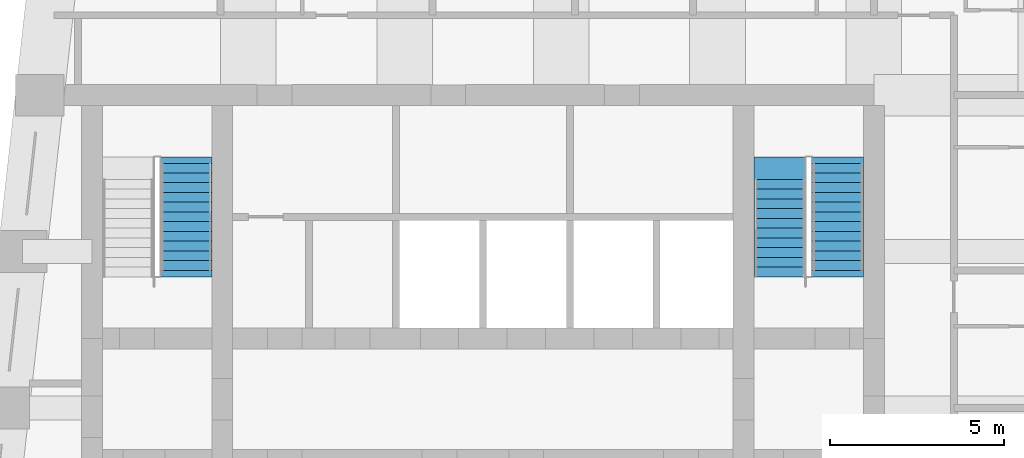
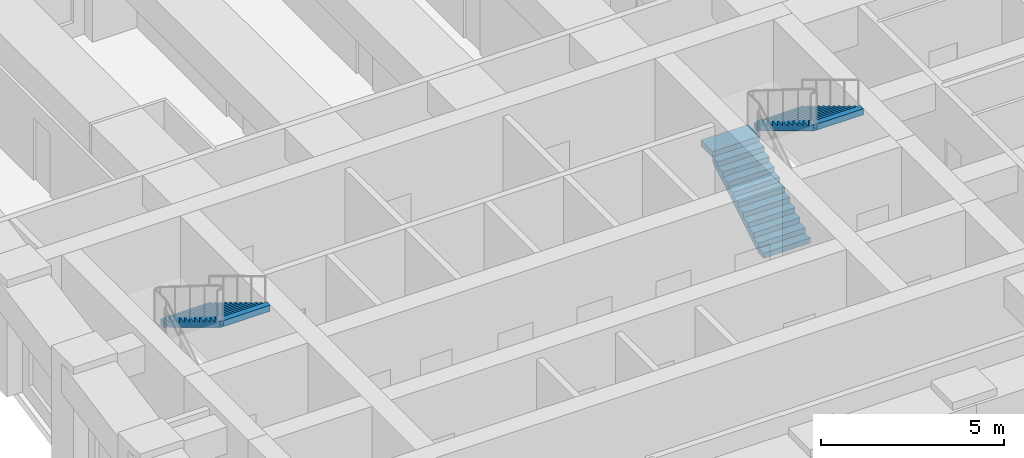
# One storey, part 6 of 7: 3 stair flights, 2 elements without a shape of their own.
"""IFC4 building model written with IfcOpenShell, lengths in metres."""

from ifc_helpers import new_model, si_unit, direction, frame, origin, place, context, subcontext, project, spatial, polyline, outline, extrude, material, type_object, element, aggregate, save


model = new_model("IFC4")

# Units and contexts
model_context = context("Model", 3, precision=1e-05, world=origin(), true_north=direction((0.0, 1.0)))
body_context = subcontext(model_context, "Body", "Model", "MODEL_VIEW")
ifc_project = project(units=[si_unit("LENGTHUNIT", "METRE"), si_unit("AREAUNIT", "SQUARE_METRE"), si_unit("VOLUMEUNIT", "CUBIC_METRE"), si_unit("PLANEANGLEUNIT", "RADIAN"), si_unit("MASSUNIT", "GRAM", prefix="KILO")], contexts=[model_context])

# Site, building, storey
site_placement = place(None, origin())
site = spatial("IfcSite", under=ifc_project, at=site_placement, CompositionType="ELEMENT")
building_placement = place(site_placement, origin())
building = spatial("IfcBuilding", under=site, at=building_placement, Name="Kilele Tower Hotel", CompositionType="ELEMENT")
storey_placement = place(building_placement, frame((0.0, 0.0, 278.0)))
storey = spatial("IfcBuildingStorey", under=building, at=storey_placement, Name="L71", CompositionType="ELEMENT", Elevation=278.0)

# Stair, stair flight
ifc_material_1 = material(Name="Precast concrete C40/50", Category="concrete")
stair_type = type_object("IfcStairType", Name="Stair 1475 x 3900", PredefinedType="HALF_TURN_STAIR", material=ifc_material_1)
stair_1_placement = place(storey_placement, origin())
stair_1 = element("IfcStair", 1, at=stair_1_placement, inside=storey, type_object=stair_type, Name="Stair 1 L71", PredefinedType="HALF_TURN_STAIR")
ifc_material_2 = material(Name="Precast concrete C40/50", Category="concrete")
stair_flight_type = type_object("IfcStairFlightType", Name="Flight 1475 riser 169.6", PredefinedType="STRAIGHT", material=ifc_material_2)
stair_flight_1_placement = place(storey_placement, frame((16.21240234375, 25.0400390625, 1.865234375), z_axis=(0.0, 0.0, 1.0), x_axis=(0.0, -1.0, 0.0)))
stair_flight_1 = element("IfcStairFlight", 2, at=stair_flight_1_placement, type_object=stair_flight_type, Name="ST1 flight 2", NumberOfRisers=12, NumberOfTreads=11, PredefinedType="STRAIGHT", RiserHeight=0.169565217, TreadLength=0.28, context=body_context, shape_type="SweptSolid", body=[
    extrude(outline(polyline([(0.0, 0.0), (0.0, 0.169677734375), (0.280029296875, 0.169677734375), (0.280029296875, 0.339111328125), (0.56005859375, 0.339111328125), (0.56005859375, 0.5087890625), (0.840087890625, 0.5087890625), (0.840087890625, 0.67822265625), (1.1201171875, 0.67822265625), (1.1201171875, 0.847900390625), (1.39990234375, 0.847900390625), (1.39990234375, 1.017333984375), (1.679931640625, 1.017333984375), (1.679931640625, 1.18701171875), (1.9599609375, 1.18701171875), (1.9599609375, 1.3564453125), (2.239990234375, 1.3564453125), (2.239990234375, 1.526123046875), (2.52001953125, 1.526123046875), (2.52001953125, 1.695556640625), (2.800048828125, 1.695556640625), (2.800048828125, 1.865234375), (3.080078125, 1.865234375), (3.080078125, 2.03466796875), (3.080078125, 1.68994140625), (0.289306640625, 0.0), (0.0, 0.0)])), frame((0.0, 0.737548828125, 0.0), z_axis=(0.0, -1.0, 0.0), x_axis=(1.0, 0.0, 0.0)), (0.0, 0.0, 1.0), 1.47509765625),
    extrude(outline(polyline([(0.0, -0.7373046875), (0.0, 0.737548828125), (-0.18505859375, 0.737548828125), (-0.18505859375, -0.7373046875), (0.0, -0.7373046875)])), frame((0.0, 0.0, -0.199951171875)), (0.0, 0.0, 1.0), 0.199951171875),
    extrude(outline(polyline([(3.26513671875, -0.7373046875), (3.26513671875, 0.737548828125), (3.080078125, 0.737548828125), (3.080078125, -0.7373046875), (3.26513671875, -0.7373046875)])), frame((0.0, 0.0, 1.834716796875)), (0.0, 0.0, 1.0), 0.199951171875),
])
aggregate(stair_1, [stair_flight_1])

# Stair, stair flights
stair_2_placement = place(storey_placement, origin())
stair_2 = element("IfcStair", 3, at=stair_2_placement, inside=storey, type_object=stair_type, Name="Stair 2 L71", PredefinedType="HALF_TURN_STAIR")
stair_flight_2_placement = place(storey_placement, frame((33.28759765625, 21.77490234375, 0.0), z_axis=(0.0, 0.0, 1.0), x_axis=(0.0, 1.0, 0.0)))
stair_flight_2 = element("IfcStairFlight", 4, at=stair_flight_2_placement, type_object=stair_flight_type, Name="ST2 flight 1", NumberOfRisers=11, NumberOfTreads=10, PredefinedType="STRAIGHT", RiserHeight=0.169565217, TreadLength=0.28, context=body_context, shape_type="SweptSolid", body=[
    extrude(outline(polyline([(0.0, 0.0), (0.0, 0.169677734375), (0.280029296875, 0.169677734375), (0.280029296875, 0.339111328125), (0.56005859375, 0.339111328125), (0.56005859375, 0.5087890625), (0.840087890625, 0.5087890625), (0.840087890625, 0.67822265625), (1.1201171875, 0.67822265625), (1.1201171875, 0.847900390625), (1.39990234375, 0.847900390625), (1.39990234375, 1.017333984375), (1.679931640625, 1.017333984375), (1.679931640625, 1.18701171875), (1.9599609375, 1.18701171875), (1.9599609375, 1.3564453125), (2.239990234375, 1.3564453125), (2.239990234375, 1.526123046875), (2.52001953125, 1.526123046875), (2.52001953125, 1.695556640625), (2.800048828125, 1.695556640625), (2.800048828125, 1.865234375), (2.800048828125, 1.5205078125), (0.289306640625, 0.0), (0.0, 0.0)])), frame((0.0, 0.737548828125, 0.0), z_axis=(0.0, -1.0, 0.0), x_axis=(1.0, 0.0, 0.0)), (0.0, 0.0, 1.0), 1.47509765625),
    extrude(outline(polyline([(2.800048828125, 0.737548828125), (2.800048828125, -0.7373046875), (3.4501953125, -0.7373046875), (3.4501953125, 0.737548828125), (2.800048828125, 0.737548828125)])), frame((0.0, 0.0, 1.665283203125)), (0.0, 0.0, 1.0), 0.199951171875),
])
stair_flight_3_placement = place(storey_placement, frame((34.96240234375, 25.0400390625, 1.865234375), z_axis=(0.0, 0.0, 1.0), x_axis=(0.0, -1.0, 0.0)))
stair_flight_3 = element("IfcStairFlight", 5, at=stair_flight_3_placement, type_object=stair_flight_type, Name="ST2 flight 2", NumberOfRisers=12, NumberOfTreads=11, PredefinedType="STRAIGHT", RiserHeight=0.169565217, TreadLength=0.28, context=body_context, shape_type="SweptSolid", body=[
    extrude(outline(polyline([(0.0, 0.0), (0.0, 0.169677734375), (0.280029296875, 0.169677734375), (0.280029296875, 0.339111328125), (0.56005859375, 0.339111328125), (0.56005859375, 0.5087890625), (0.840087890625, 0.5087890625), (0.840087890625, 0.67822265625), (1.1201171875, 0.67822265625), (1.1201171875, 0.847900390625), (1.39990234375, 0.847900390625), (1.39990234375, 1.017333984375), (1.679931640625, 1.017333984375), (1.679931640625, 1.18701171875), (1.9599609375, 1.18701171875), (1.9599609375, 1.3564453125), (2.239990234375, 1.3564453125), (2.239990234375, 1.526123046875), (2.52001953125, 1.526123046875), (2.52001953125, 1.695556640625), (2.800048828125, 1.695556640625), (2.800048828125, 1.865234375), (3.080078125, 1.865234375), (3.080078125, 2.03466796875), (3.080078125, 1.68994140625), (0.289306640625, 0.0), (0.0, 0.0)])), frame((0.0, 0.737548828125, 0.0), z_axis=(0.0, -1.0, 0.0), x_axis=(1.0, 0.0, 0.0)), (0.0, 0.0, 1.0), 1.47509765625),
    extrude(outline(polyline([(0.0, -0.7373046875), (0.0, 0.737548828125), (-0.18505859375, 0.737548828125), (-0.18505859375, -0.7373046875), (0.0, -0.7373046875)])), frame((0.0, 0.0, -0.199951171875)), (0.0, 0.0, 1.0), 0.199951171875),
    extrude(outline(polyline([(3.26513671875, -0.7373046875), (3.26513671875, 0.737548828125), (3.080078125, 0.737548828125), (3.080078125, -0.7373046875), (3.26513671875, -0.7373046875)])), frame((0.0, 0.0, 1.834716796875)), (0.0, 0.0, 1.0), 0.199951171875),
])
aggregate(stair_2, [stair_flight_2, stair_flight_3])

save(model, "model.ifc")
